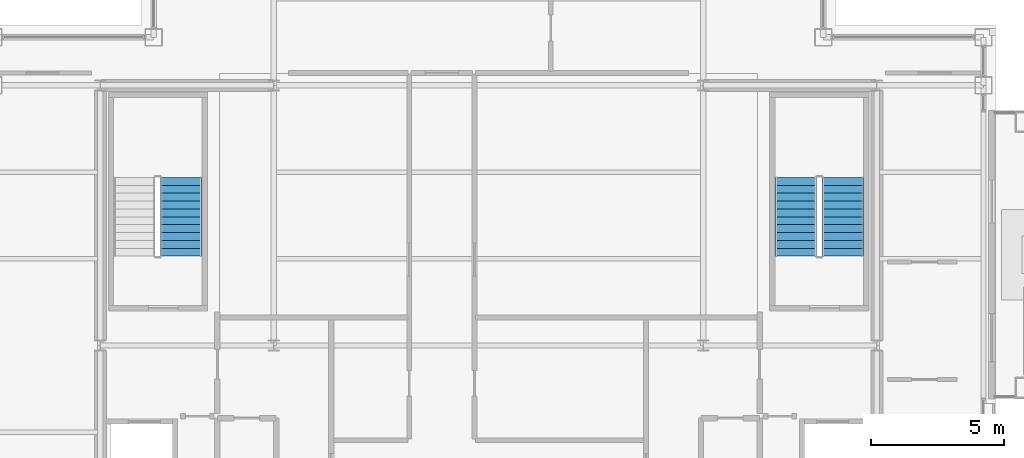
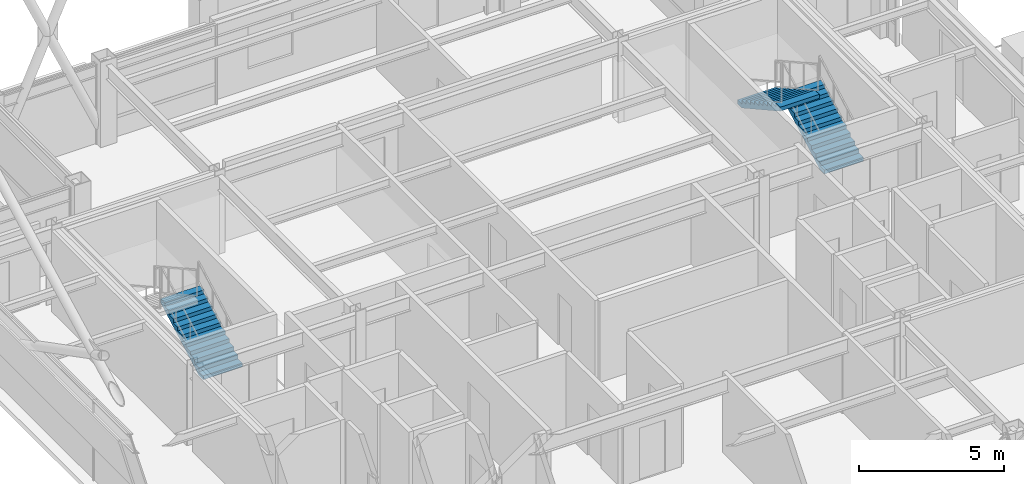
# One storey, part 28 of 30: 3 stair flights, 2 elements without a shape of their own.
"""IFC4 building model written with IfcOpenShell, lengths in metres."""

from ifc_helpers import new_model, si_unit, direction, frame, origin, place, context, subcontext, project, spatial, polyline, outline, extrude, material, type_object, element, aggregate, save


model = new_model("IFC4")

# Units and contexts
model_context = context("Model", 3, precision=1e-05, world=origin(), true_north=direction((0.0, 1.0)))
body_context = subcontext(model_context, "Body", "Model", "MODEL_VIEW")
ifc_project = project(units=[si_unit("LENGTHUNIT", "METRE"), si_unit("AREAUNIT", "SQUARE_METRE"), si_unit("VOLUMEUNIT", "CUBIC_METRE"), si_unit("PLANEANGLEUNIT", "RADIAN"), si_unit("MASSUNIT", "GRAM", prefix="KILO")], contexts=[model_context])

# Site, building, storey
site_placement = place(None, origin())
site = spatial("IfcSite", under=ifc_project, at=site_placement, CompositionType="ELEMENT")
building_placement = place(site_placement, origin())
building = spatial("IfcBuilding", under=site, at=building_placement, Name="Brelmoor Portico Tower", CompositionType="ELEMENT")
storey_placement = place(building_placement, frame((0.0, 0.0, 236.39990234375)))
storey = spatial("IfcBuildingStorey", under=building, at=storey_placement, Name="L62", CompositionType="ELEMENT", Elevation=236.39990234375)

# Stair, stair flight
ifc_material = material(Name="Concrete C40", Category="concrete")
stair_type_1 = type_object("IfcStairType", Name="ST-CORE-W", PredefinedType="HALF_TURN_STAIR", material=ifc_material)
stair_1_placement = place(storey_placement, origin())
stair_1 = element("IfcStair", 1, at=stair_1_placement, inside=storey, type_object=stair_type_1, Name="L62 Protected Core Exit Stair ST-W", PredefinedType="HALF_TURN_STAIR")
stair_flight_type = type_object("IfcStairFlightType", Name="SF-CORE-1850", PredefinedType="STRAIGHT", material=ifc_material)
stair_flight_1_placement = place(storey_placement, frame((-11.510009765625, 3.35009765625, 0.0), z_axis=(0.0, 0.0, 1.0), x_axis=(0.0, 1.0, 0.0)))
stair_flight_1 = element("IfcStairFlight", 2, at=stair_flight_1_placement, type_object=stair_flight_type, Name="ST-W flight 1", NumberOfRisers=11, NumberOfTreads=10, PredefinedType="STRAIGHT", RiserHeight=0.163636364, TreadLength=0.295, context=body_context, shape_type="SweptSolid", body=[
    extrude(outline(polyline([(0.0, 0.0), (0.0, 0.16357421875), (0.294921875, 0.16357421875), (0.294921875, 0.327392578125), (0.590087890625, 0.327392578125), (0.590087890625, 0.490966796875), (0.885009765625, 0.490966796875), (0.885009765625, 0.654541015625), (1.179931640625, 0.654541015625), (1.179931640625, 0.818115234375), (1.47509765625, 0.818115234375), (1.47509765625, 0.98193359375), (1.77001953125, 0.98193359375), (1.77001953125, 1.1455078125), (2.06494140625, 1.1455078125), (2.06494140625, 1.30908203125), (2.360107421875, 1.30908203125), (2.360107421875, 1.47265625), (2.655029296875, 1.47265625), (2.655029296875, 1.636474609375), (2.949951171875, 1.636474609375), (2.949951171875, 1.800048828125), (2.949951171875, 1.46484375), (0.30908203125, 0.0), (0.0, 0.0)])), frame((0.0, 0.780029296875, 0.0), z_axis=(0.0, -1.0, 0.0), x_axis=(1.0, 0.0, 0.0)), (0.0, 0.0, 1.0), 1.56005859375),
])
aggregate(stair_1, [stair_flight_1])

# Stair, stair flights
stair_type_2 = type_object("IfcStairType", Name="ST-CORE-E", PredefinedType="HALF_TURN_STAIR", material=ifc_material)
stair_2_placement = place(storey_placement, origin())
stair_2 = element("IfcStair", 3, at=stair_2_placement, inside=storey, type_object=stair_type_2, Name="L62 Protected Core Exit Stair ST-E", PredefinedType="HALF_TURN_STAIR")
stair_flight_2_placement = place(storey_placement, frame((13.27001953125, 3.35009765625, 0.0), z_axis=(0.0, 0.0, 1.0), x_axis=(0.0, 1.0, 0.0)))
stair_flight_2 = element("IfcStairFlight", 4, at=stair_flight_2_placement, type_object=stair_flight_type, Name="ST-E flight 1", NumberOfRisers=11, NumberOfTreads=10, PredefinedType="STRAIGHT", RiserHeight=0.163636364, TreadLength=0.295, context=body_context, shape_type="SweptSolid", body=[
    extrude(outline(polyline([(0.0, 0.0), (0.0, 0.16357421875), (0.294921875, 0.16357421875), (0.294921875, 0.327392578125), (0.590087890625, 0.327392578125), (0.590087890625, 0.490966796875), (0.885009765625, 0.490966796875), (0.885009765625, 0.654541015625), (1.179931640625, 0.654541015625), (1.179931640625, 0.818115234375), (1.47509765625, 0.818115234375), (1.47509765625, 0.98193359375), (1.77001953125, 0.98193359375), (1.77001953125, 1.1455078125), (2.06494140625, 1.1455078125), (2.06494140625, 1.30908203125), (2.360107421875, 1.30908203125), (2.360107421875, 1.47265625), (2.655029296875, 1.47265625), (2.655029296875, 1.636474609375), (2.949951171875, 1.636474609375), (2.949951171875, 1.800048828125), (2.949951171875, 1.46484375), (0.30908203125, 0.0), (0.0, 0.0)])), frame((0.0, 0.780029296875, 0.0), z_axis=(0.0, -1.0, 0.0), x_axis=(1.0, 0.0, 0.0)), (0.0, 0.0, 1.0), 1.56005859375),
])
stair_flight_3_placement = place(storey_placement, frame((11.510009765625, 6.300048828125, 1.800048828125), z_axis=(0.0, 0.0, 1.0), x_axis=(0.0, -1.0, 0.0)))
stair_flight_3 = element("IfcStairFlight", 5, at=stair_flight_3_placement, type_object=stair_flight_type, Name="ST-E flight 2", NumberOfRisers=11, NumberOfTreads=10, PredefinedType="STRAIGHT", RiserHeight=0.163636364, TreadLength=0.295, context=body_context, shape_type="SweptSolid", body=[
    extrude(outline(polyline([(0.0, 0.0), (0.0, 0.16357421875), (0.294921875, 0.16357421875), (0.294921875, 0.327392578125), (0.590087890625, 0.327392578125), (0.590087890625, 0.490966796875), (0.885009765625, 0.490966796875), (0.885009765625, 0.654541015625), (1.179931640625, 0.654541015625), (1.179931640625, 0.818115234375), (1.47509765625, 0.818115234375), (1.47509765625, 0.98193359375), (1.77001953125, 0.98193359375), (1.77001953125, 1.1455078125), (2.06494140625, 1.1455078125), (2.06494140625, 1.30908203125), (2.360107421875, 1.30908203125), (2.360107421875, 1.47265625), (2.655029296875, 1.47265625), (2.655029296875, 1.636474609375), (2.949951171875, 1.636474609375), (2.949951171875, 1.800048828125), (2.949951171875, 1.46484375), (0.30908203125, 0.0), (0.0, 0.0)])), frame((0.0, 0.780029296875, 0.0), z_axis=(0.0, -1.0, 0.0), x_axis=(1.0, 0.0, 0.0)), (0.0, 0.0, 1.0), 1.56005859375),
])
aggregate(stair_2, [stair_flight_2, stair_flight_3])

save(model, "model.ifc")
